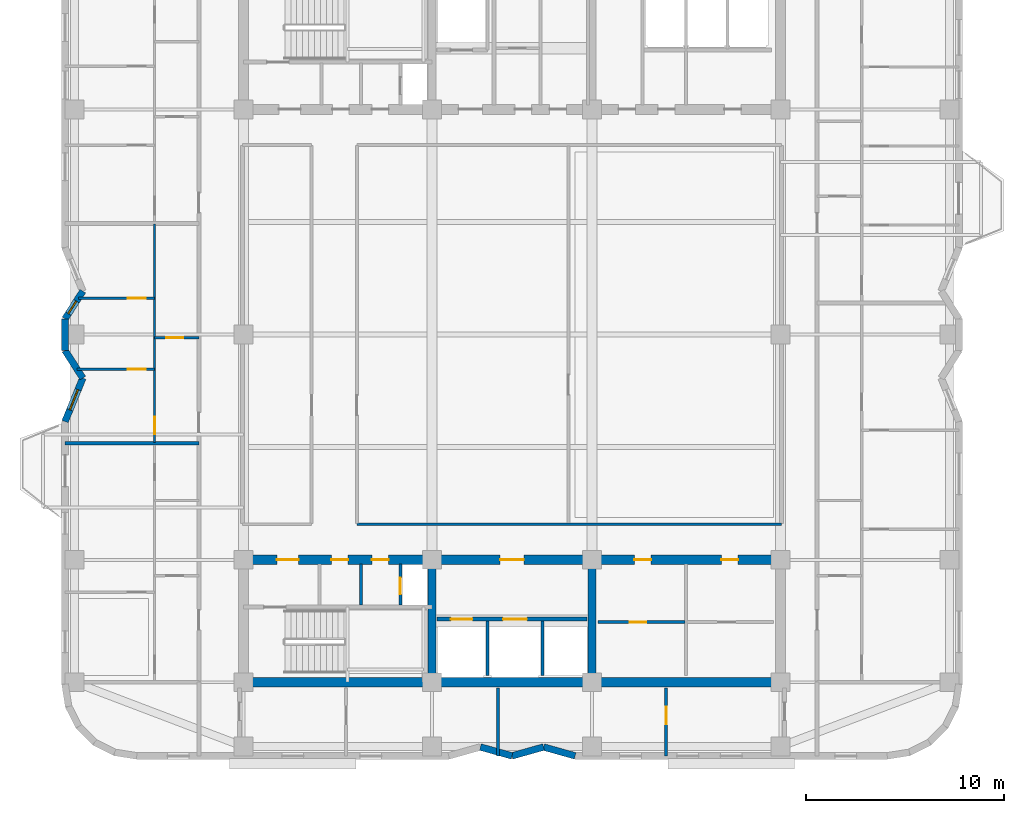
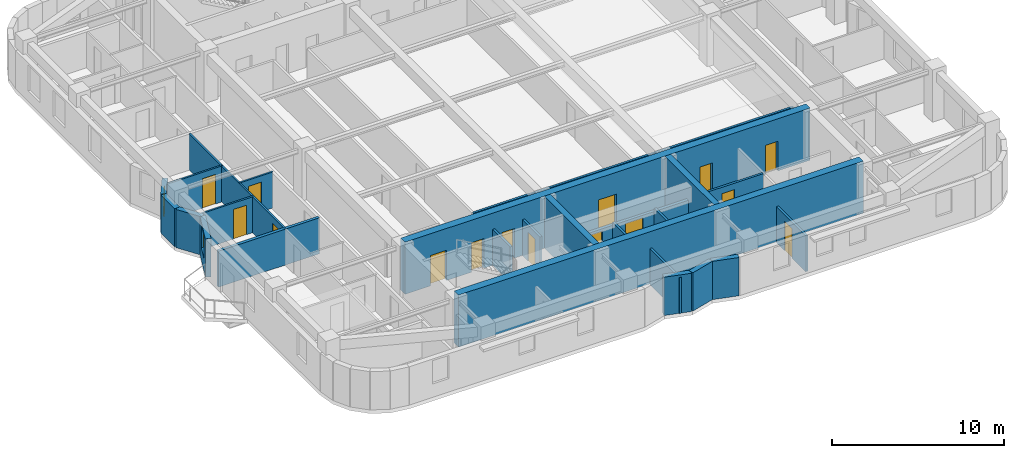
# One storey, part 3 of 9: 25 walls, 15 doors, 2 windows, 17 openings.
"""IFC4 building model written with IfcOpenShell, lengths in metres."""

from ifc_helpers import new_model, si_unit, direction, frame, frame_2d, origin, place, context, subcontext, project, spatial, rectangle, extrude, material, layer, layer_set, type_object, element, fill, save


model = new_model("IFC4")

# Units and contexts
model_context = context("Model", 3, precision=1e-05, world=origin(), true_north=direction((0.0, 1.0)))
body_context = subcontext(model_context, "Body", "Model", "MODEL_VIEW")
ifc_project = project(units=[si_unit("LENGTHUNIT", "METRE"), si_unit("AREAUNIT", "SQUARE_METRE"), si_unit("VOLUMEUNIT", "CUBIC_METRE"), si_unit("PLANEANGLEUNIT", "RADIAN"), si_unit("MASSUNIT", "GRAM", prefix="KILO")], contexts=[model_context])

# Site, building, storey
site_placement = place(None, origin())
site = spatial("IfcSite", under=ifc_project, at=site_placement, CompositionType="ELEMENT")
building_placement = place(site_placement, origin())
building = spatial("IfcBuilding", under=site, at=building_placement, Name="Svetorya Sky Lyceum", CompositionType="ELEMENT")
storey_placement = place(building_placement, frame((0.0, 0.0, 155.199951171875)))
storey = spatial("IfcBuildingStorey", under=building, at=storey_placement, Name="L38", CompositionType="ELEMENT", Elevation=155.199951171875)

# Walls
ifc_material_1 = material(Name="Concrete C40/50", Category="concrete")
ifc_layer_1 = layer(ifc_material_1, 0.39990234375)
ifc_layer_set_1 = layer_set([ifc_layer_1], Name="Concrete C40/50")
wall_type_1 = type_object("IfcWallType", Name="WL-CORE-400", PredefinedType="SHEAR", material=ifc_layer_set_1)
for number, where, z_axis, x_axis, name in (
    (1, (35.14990234375, 10.85009765625, 0.0), (0.0, 0.0, 1.0), (0.0, 1.0, 0.0), "L38 SC Internal Shear Web WEB1"),
    (2, (43.25, 10.85009765625, 0.0), (0.0, 0.0, 1.0), (0.0, 1.0, 0.0), "L38 SC Internal Shear Web WEB2"),
):
    element("IfcWall", number, at=place(storey_placement, frame(where, z_axis=z_axis, x_axis=x_axis)), inside=storey, type_object=wall_type_1, Name=name, PredefinedType="SHEAR", context=body_context, shape_type="SweptSolid", body=[
        extrude(rectangle(XDim=5.699951171875, YDim=0.39990234375, at=frame_2d((2.85009765625, 0.0))), origin(), (0.0, 0.0, 1.0), 3.699951171875),
    ])
ifc_material_2 = material(Name="Concrete C50/60", Category="concrete")
ifc_layer_2 = layer(ifc_material_2, 0.5)
ifc_layer_set_2 = layer_set([ifc_layer_2], Name="Concrete C50/60")
wall_type_2 = type_object("IfcWallType", Name="WL-CORE-500", PredefinedType="SHEAR", material=ifc_layer_set_2)
wall_1_placement = place(storey_placement, frame((52.800048828125, 10.60009765625, 0.0), z_axis=(0.0, 0.0, 1.0), x_axis=(-1.0, 0.0, 0.0)))
element("IfcWall", 3, at=wall_1_placement, inside=storey, type_object=wall_type_2, Name="L38 SC Outer Core Shear Wall", PredefinedType="SHEAR", context=body_context, shape_type="SweptSolid", body=[
    extrude(rectangle(XDim=27.199951171875, YDim=0.5, at=frame_2d((13.60009765625, 0.0))), origin(), (0.0, 0.0, 1.0), 3.699951171875),
])

# Wall, openings, doors
wall_2_placement = place(storey_placement, frame((25.60009765625, 16.800048828125, 0.0), z_axis=(0.0, 0.0, 1.0), x_axis=(1.0, 0.0, 0.0)))
wall_2 = element("IfcWall", 4, at=wall_2_placement, inside=storey, type_object=wall_type_2, Name="L38 SC Inner Core Shear Wall", PredefinedType="SHEAR", context=body_context, shape_type="SweptSolid", body=[
    extrude(rectangle(XDim=27.199951171875, YDim=0.5, at=frame_2d((13.60009765625, 0.0))), origin(), (0.0, 0.0, 1.0), 3.699951171875),
])
opening_1_placement = place(wall_2_placement, frame((1.699951171875, 0.0, 0.0)))
opening_1 = element("IfcOpeningElement", 5, at=opening_1_placement, cuts=wall_2, Name="Opening D-ST1", PredefinedType="OPENING", context=body_context, shape_type="SweptSolid", body=[
    extrude(rectangle(XDim=1.10009765625, YDim=2.14990234375, at=frame_2d((0.550048828125, 1.074951171875))), frame((0.0, 0.260009765625, 0.0), z_axis=(0.0, -1.0, 0.0), x_axis=(1.0, 0.0, 0.0)), (0.0, 0.0, 1.0), 0.52001953125),
])
opening_2_placement = place(wall_2_placement, frame((4.449951171875, 0.0, 0.0)))
opening_2 = element("IfcOpeningElement", 6, at=opening_2_placement, cuts=wall_2, Name="Opening D-CWC1", PredefinedType="OPENING", context=body_context, shape_type="SweptSolid", body=[
    extrude(rectangle(XDim=0.85009765625, YDim=2.10009765625, at=frame_2d((0.425048828125, 1.050048828125))), frame((0.0, 0.260009765625, 0.0), z_axis=(0.0, -1.0, 0.0), x_axis=(1.0, 0.0, 0.0)), (0.0, 0.0, 1.0), 0.52001953125),
])
opening_3_placement = place(wall_2_placement, frame((6.5, 0.0, 0.0)))
opening_3 = element("IfcOpeningElement", 7, at=opening_3_placement, cuts=wall_2, Name="Opening D-CWC1", PredefinedType="OPENING", context=body_context, shape_type="SweptSolid", body=[
    extrude(rectangle(XDim=0.85009765625, YDim=2.10009765625, at=frame_2d((0.425048828125, 1.050048828125))), frame((0.0, 0.260009765625, 0.0), z_axis=(0.0, -1.0, 0.0), x_axis=(1.0, 0.0, 0.0)), (0.0, 0.0, 1.0), 0.52001953125),
])
opening_4_placement = place(wall_2_placement, frame((13.0, 0.0, 0.0)))
opening_4 = element("IfcOpeningElement", 8, at=opening_4_placement, cuts=wall_2, Name="Opening D-FL1", PredefinedType="OPENING", context=body_context, shape_type="SweptSolid", body=[
    extrude(rectangle(XDim=1.199951171875, YDim=2.14990234375, at=frame_2d((0.60009765625, 1.074951171875))), frame((0.0, 0.260009765625, 0.0), z_axis=(0.0, -1.0, 0.0), x_axis=(1.0, 0.0, 0.0)), (0.0, 0.0, 1.0), 0.52001953125),
])
opening_5_placement = place(wall_2_placement, frame((19.800048828125, 0.0, 0.0)))
opening_5 = element("IfcOpeningElement", 9, at=opening_5_placement, cuts=wall_2, Name="Opening D-CWC1", PredefinedType="OPENING", context=body_context, shape_type="SweptSolid", body=[
    extrude(rectangle(XDim=0.85009765625, YDim=2.10009765625, at=frame_2d((0.425048828125, 1.050048828125))), frame((0.0, 0.260009765625, 0.0), z_axis=(0.0, -1.0, 0.0), x_axis=(1.0, 0.0, 0.0)), (0.0, 0.0, 1.0), 0.52001953125),
])
opening_6_placement = place(wall_2_placement, frame((24.199951171875, 0.0, 0.0)))
opening_6 = element("IfcOpeningElement", 10, at=opening_6_placement, cuts=wall_2, Name="Opening D-CWC1", PredefinedType="OPENING", context=body_context, shape_type="SweptSolid", body=[
    extrude(rectangle(XDim=0.85009765625, YDim=2.10009765625, at=frame_2d((0.425048828125, 1.050048828125))), frame((0.0, 0.260009765625, 0.0), z_axis=(0.0, -1.0, 0.0), x_axis=(1.0, 0.0, 0.0)), (0.0, 0.0, 1.0), 0.52001953125),
])
ifc_material_3 = material(Name="Fire-rated galvanized steel core service closet door", Category="steel")
door_type_1 = type_object("IfcDoorType", Name="DR-CWET-850", OperationType="SINGLE_SWING_LEFT", PredefinedType="DOOR", material=ifc_material_3)
door_1_placement = place(opening_2_placement, origin())
door_1 = element("IfcDoor", 11, at=door_1_placement, inside=storey, type_object=door_type_1, Name="L38 South Mop Closet Door", OperationType="SINGLE_SWING_LEFT", OverallHeight=2.10009765625, OverallWidth=0.85009765625, PredefinedType="DOOR", context=body_context, shape_type="SweptSolid", body=[
    extrude(rectangle(XDim=0.85009765625, YDim=2.10009765625, at=frame_2d((0.425048828125, 1.050048828125))), frame((0.0, 0.02490234375, 0.0), z_axis=(0.0, -1.0, 0.0), x_axis=(1.0, 0.0, 0.0)), (0.0, 0.0, 1.0), 0.050048828125),
])
fill(opening_2, door_1)
door_2_placement = place(opening_3_placement, origin())
door_2 = element("IfcDoor", 12, at=door_2_placement, inside=storey, type_object=door_type_1, Name="L38 South West WC Door", OperationType="SINGLE_SWING_RIGHT", OverallHeight=2.10009765625, OverallWidth=0.85009765625, PredefinedType="DOOR", context=body_context, shape_type="SweptSolid", body=[
    extrude(rectangle(XDim=0.85009765625, YDim=2.10009765625, at=frame_2d((0.425048828125, 1.050048828125))), frame((0.0, 0.02490234375, 0.0), z_axis=(0.0, -1.0, 0.0), x_axis=(1.0, 0.0, 0.0)), (0.0, 0.0, 1.0), 0.050048828125),
])
fill(opening_3, door_2)
door_3_placement = place(opening_5_placement, origin())
door_3 = element("IfcDoor", 13, at=door_3_placement, inside=storey, type_object=door_type_1, Name="L38 Housekeeping Door", OperationType="SINGLE_SWING_LEFT", OverallHeight=2.10009765625, OverallWidth=0.85009765625, PredefinedType="DOOR", context=body_context, shape_type="SweptSolid", body=[
    extrude(rectangle(XDim=0.85009765625, YDim=2.10009765625, at=frame_2d((0.425048828125, 1.050048828125))), frame((0.0, 0.02490234375, 0.0), z_axis=(0.0, -1.0, 0.0), x_axis=(1.0, 0.0, 0.0)), (0.0, 0.0, 1.0), 0.050048828125),
])
fill(opening_5, door_3)
door_4_placement = place(opening_6_placement, origin())
door_4 = element("IfcDoor", 14, at=door_4_placement, inside=storey, type_object=door_type_1, Name="L38 South WC Door", OperationType="SINGLE_SWING_RIGHT", OverallHeight=2.10009765625, OverallWidth=0.85009765625, PredefinedType="DOOR", context=body_context, shape_type="SweptSolid", body=[
    extrude(rectangle(XDim=0.85009765625, YDim=2.10009765625, at=frame_2d((0.425048828125, 1.050048828125))), frame((0.0, 0.02490234375, 0.0), z_axis=(0.0, -1.0, 0.0), x_axis=(1.0, 0.0, 0.0)), (0.0, 0.0, 1.0), 0.050048828125),
])
fill(opening_6, door_4)
ifc_material_4 = material(Name="Powder-coated insulated galvanized stair fire door")
door_type_2 = type_object("IfcDoorType", Name="DR-FIRE-1100", OperationType="SINGLE_SWING_LEFT", PredefinedType="DOOR", material=ifc_material_4)
door_5_placement = place(opening_1_placement, origin())
door_5 = element("IfcDoor", 15, at=door_5_placement, inside=storey, type_object=door_type_2, Name="L38 South Stair Airlock Door", OperationType="SINGLE_SWING_RIGHT", OverallHeight=2.14990234375, OverallWidth=1.10009765625, PredefinedType="DOOR", context=body_context, shape_type="SweptSolid", body=[
    extrude(rectangle(XDim=1.10009765625, YDim=2.14990234375, at=frame_2d((0.550048828125, 1.074951171875))), frame((0.0, 0.02490234375, 0.0), z_axis=(0.0, -1.0, 0.0), x_axis=(1.0, 0.0, 0.0)), (0.0, 0.0, 1.0), 0.050048828125),
])
fill(opening_1, door_5)
ifc_material_5 = material(Name="Powder-coated insulated galvanized fire door")
door_type_3 = type_object("IfcDoorType", Name="DR-FIRE-1200", OperationType="SINGLE_SWING_LEFT", PredefinedType="DOOR", material=ifc_material_5)
door_6_placement = place(opening_4_placement, origin())
door_6 = element("IfcDoor", 16, at=door_6_placement, inside=storey, type_object=door_type_3, Name="L38 South Firefighting Lift Lobby Door", OperationType="SINGLE_SWING_LEFT", OverallHeight=2.14990234375, OverallWidth=1.199951171875, PredefinedType="DOOR", context=body_context, shape_type="SweptSolid", body=[
    extrude(rectangle(XDim=1.199951171875, YDim=2.14990234375, at=frame_2d((0.60009765625, 1.074951171875))), frame((0.0, 0.02490234375, 0.0), z_axis=(0.0, -1.0, 0.0), x_axis=(1.0, 0.0, 0.0)), (0.0, 0.0, 1.0), 0.050048828125),
])
fill(opening_4, door_6)

# Walls
ifc_material_6 = material(Name="Putilovo limestone rainscreen on autoclaved cellular masonry", Category="masonry")
ifc_layer_3 = layer(ifc_material_6, 0.340087890625)
ifc_layer_set_3 = layer_set([ifc_layer_3], Name="Putilovo limestone rainscreen on autoclaved cellular masonry")
wall_type_3 = type_object("IfcWallType", Name="WL-EXT-340", PredefinedType="SOLIDWALL", material=ifc_layer_set_3)
wall_3_placement = place(storey_placement, frame((37.60009765625, 7.320068359375, 0.0), z_axis=(0.0, 0.0, 1.0), x_axis=(0.962652136636, -0.270741322725, 0.0)))
element("IfcWall", 17, at=wall_3_placement, inside=storey, type_object=wall_type_3, Name="L38 Limestone Exterior Wall 8M", PredefinedType="SOLIDWALL", context=body_context, shape_type="SweptSolid", body=[
    extrude(rectangle(XDim=1.661865234375, YDim=0.340087890625, at=frame_2d((0.8310546875, 0.0))), origin(), (0.0, 0.0, 1.0), 2.719970703125),
])
wall_4_placement = place(storey_placement, frame((39.199951171875, 6.8701171875, 0.0), z_axis=(0.0, 0.0, 1.0), x_axis=(0.962662902433, 0.270703040766, 0.0)))
element("IfcWall", 18, at=wall_4_placement, inside=storey, type_object=wall_type_3, Name="L38 Limestone Exterior Wall 9M", PredefinedType="SOLIDWALL", context=body_context, shape_type="SweptSolid", body=[
    extrude(rectangle(XDim=1.662109375, YDim=0.340087890625, at=frame_2d((0.8310546875, 0.0))), origin(), (0.0, 0.0, 1.0), 2.719970703125),
])
wall_5_placement = place(storey_placement, frame((40.800048828125, 7.320068359375, 0.0), z_axis=(0.0, 0.0, 1.0), x_axis=(0.962652136636, -0.270741322725, 0.0)))
element("IfcWall", 19, at=wall_5_placement, inside=storey, type_object=wall_type_3, Name="L38 Limestone Exterior Wall 10M", PredefinedType="SOLIDWALL", context=body_context, shape_type="SweptSolid", body=[
    extrude(rectangle(XDim=1.661865234375, YDim=0.340087890625, at=frame_2d((0.8310546875, 0.0))), origin(), (0.0, 0.0, 1.0), 2.719970703125),
])

# Wall, opening, window
wall_6_placement = place(storey_placement, frame((17.469970703125, 30.39990234375, 0.0), z_axis=(0.0, 0.0, 1.0), x_axis=(-0.540742762169, -0.841188008214, 0.0)))
wall_6 = element("IfcWall", 20, at=wall_6_placement, inside=storey, type_object=wall_type_3, Name="L38 Limestone Exterior Wall 42M", PredefinedType="SOLIDWALL", context=body_context, shape_type="SweptSolid", body=[
    extrude(rectangle(XDim=1.664306640625, YDim=0.340087890625, at=frame_2d((0.83203125, 0.0))), origin(), (0.0, 0.0, 1.0), 2.719970703125),
])
opening_7_placement = place(wall_6_placement, frame((0.60009765625, 0.0, 0.909912109375)))
opening_7 = element("IfcOpeningElement", 21, at=opening_7_placement, cuts=wall_6, Name="Opening W-R5", PredefinedType="OPENING", context=body_context, shape_type="SweptSolid", body=[
    extrude(rectangle(XDim=0.75, YDim=1.64990234375, at=frame_2d((0.375, 0.824951171875))), frame((0.0, 0.179931640625, 0.0), z_axis=(0.0, -1.0, 0.0), x_axis=(1.0, 0.0, 0.0)), (0.0, 0.0, 1.0), 0.360107421875),
])
ifc_material_7 = material(Name="Thermally broken aluminium frame with triple low-E glazing", Category="aluminium")
window_type_1 = type_object("IfcWindowType", Name="WN-RES-075", PartitioningType="SINGLE_PANEL", PredefinedType="WINDOW", material=ifc_material_7)
window_1_placement = place(opening_7_placement, origin())
window_1 = element("IfcWindow", 22, at=window_1_placement, inside=storey, type_object=window_type_1, Name="L38 Facade Window W-R5.42M.1", OverallHeight=1.64990234375, OverallWidth=0.75, PartitioningType="SINGLE_PANEL", PredefinedType="WINDOW", context=body_context, shape_type="SweptSolid", body=[
    extrude(rectangle(XDim=0.75, YDim=1.64990234375, at=frame_2d((0.375, 0.824951171875))), frame((0.0, 0.030029296875, 0.0), z_axis=(0.0, -1.0, 0.0), x_axis=(1.0, 0.0, 0.0)), (0.0, 0.0, 1.0), 0.06005859375),
])
fill(opening_7, window_1)

# Walls
wall_7_placement = place(storey_placement, frame((16.570068359375, 29.0, 0.0), z_axis=(0.0, 0.0, 1.0), x_axis=(0.0, -1.0, 0.0)))
element("IfcWall", 23, at=wall_7_placement, inside=storey, type_object=wall_type_3, Name="L38 Limestone Exterior Wall 43M", PredefinedType="SOLIDWALL", context=body_context, shape_type="SweptSolid", body=[
    extrude(rectangle(XDim=1.60009765625, YDim=0.340087890625, at=frame_2d((0.800048828125, 0.0))), origin(), (0.0, 0.0, 1.0), 2.719970703125),
])
wall_8_placement = place(storey_placement, frame((16.570068359375, 27.39990234375, 0.0), z_axis=(0.0, 0.0, 1.0), x_axis=(0.540742762169, -0.841188008214, 0.0)))
element("IfcWall", 24, at=wall_8_placement, inside=storey, type_object=wall_type_3, Name="L38 Limestone Exterior Wall 44M", PredefinedType="SOLIDWALL", context=body_context, shape_type="SweptSolid", body=[
    extrude(rectangle(XDim=1.664306640625, YDim=0.340087890625, at=frame_2d((0.83203125, 0.0))), origin(), (0.0, 0.0, 1.0), 2.719970703125),
])

# Wall, opening, window
wall_9_placement = place(storey_placement, frame((17.469970703125, 26.0, 0.0), z_axis=(0.0, 0.0, 1.0), x_axis=(-0.378604849088, -0.925558408879, 0.0)))
wall_9 = element("IfcWall", 25, at=wall_9_placement, inside=storey, type_object=wall_type_3, Name="L38 Limestone Exterior Wall 45M", PredefinedType="SOLIDWALL", context=body_context, shape_type="SweptSolid", body=[
    extrude(rectangle(XDim=2.376953125, YDim=0.340087890625, at=frame_2d((1.1884765625, 0.0))), origin(), (0.0, 0.0, 1.0), 2.719970703125),
])
opening_8_placement = place(wall_9_placement, frame((0.638427734375, 0.0, 0.909912109375)))
opening_8 = element("IfcOpeningElement", 26, at=opening_8_placement, cuts=wall_9, Name="Opening W-R3", PredefinedType="OPENING", context=body_context, shape_type="SweptSolid", body=[
    extrude(rectangle(XDim=1.10009765625, YDim=1.64990234375, at=frame_2d((0.550048828125, 0.824951171875))), frame((0.0, 0.179931640625, 0.0), z_axis=(0.0, -1.0, 0.0), x_axis=(1.0, 0.0, 0.0)), (0.0, 0.0, 1.0), 0.360107421875),
])
window_type_2 = type_object("IfcWindowType", Name="WN-RES-110", PartitioningType="SINGLE_PANEL", PredefinedType="WINDOW", material=ifc_material_7)
window_2_placement = place(opening_8_placement, origin())
window_2 = element("IfcWindow", 27, at=window_2_placement, inside=storey, type_object=window_type_2, Name="L38 Facade Window W-R3.45M.1", OverallHeight=1.64990234375, OverallWidth=1.10009765625, PartitioningType="SINGLE_PANEL", PredefinedType="WINDOW", context=body_context, shape_type="SweptSolid", body=[
    extrude(rectangle(XDim=1.10009765625, YDim=1.64990234375, at=frame_2d((0.550048828125, 0.824951171875))), frame((0.0, 0.030029296875, 0.0), z_axis=(0.0, -1.0, 0.0), x_axis=(1.0, 0.0, 0.0)), (0.0, 0.0, 1.0), 0.06005859375),
])
fill(opening_8, window_2)

# Wall, opening, door
ifc_material_8 = material(Name="Twin-stud galvanized framing with double fireboard", Category="gypsum")
ifc_layer_4 = layer(ifc_material_8, 0.1201171875)
ifc_layer_set_4 = layer_set([ifc_layer_4], Name="Twin-stud galvanized framing with double fireboard")
wall_type_4 = type_object("IfcWallType", Name="WL-PART-120", PredefinedType="PARTITIONING", material=ifc_layer_set_4)
wall_10_placement = place(storey_placement, frame((21.10009765625, 28.0400390625, 0.0), z_axis=(0.0, 0.0, 1.0), x_axis=(1.0, 0.0, 0.0)))
wall_10 = element("IfcWall", 28, at=wall_10_placement, inside=storey, type_object=wall_type_4, Name="L38 Interior Partition W2-WH1", PredefinedType="PARTITIONING", context=body_context, shape_type="SweptSolid", body=[
    extrude(rectangle(XDim=2.25, YDim=0.1201171875, at=frame_2d((1.125, 0.0))), origin(), (0.0, 0.0, 1.0), 2.550048828125),
])
opening_9_placement = place(wall_10_placement, frame((0.60009765625, 0.0, 0.0)))
opening_9 = element("IfcOpeningElement", 29, at=opening_9_placement, cuts=wall_10, Name="Opening D-BT1", PredefinedType="OPENING", context=body_context, shape_type="SweptSolid", body=[
    extrude(rectangle(XDim=0.85009765625, YDim=2.10009765625, at=frame_2d((0.425048828125, 1.050048828125))), frame((0.0, 0.070068359375, 0.0), z_axis=(0.0, -1.0, 0.0), x_axis=(1.0, 0.0, 0.0)), (0.0, 0.0, 1.0), 0.14013671875),
])
ifc_material_9 = material(Name="Moisture-resistant laminate bathroom door")
door_type_4 = type_object("IfcDoorType", Name="DR-WET-850", OperationType="SINGLE_SWING_LEFT", PredefinedType="DOOR", material=ifc_material_9)
door_7_placement = place(opening_9_placement, origin())
door_7 = element("IfcDoor", 30, at=door_7_placement, inside=storey, type_object=door_type_4, Name="Apartment W2 Bathroom Door", OperationType="SINGLE_SWING_RIGHT", OverallHeight=2.10009765625, OverallWidth=0.85009765625, PredefinedType="DOOR", context=body_context, shape_type="SweptSolid", body=[
    extrude(rectangle(XDim=0.85009765625, YDim=2.10009765625, at=frame_2d((0.425048828125, 1.050048828125))), frame((0.0, 0.02490234375, 0.0), z_axis=(0.0, -1.0, 0.0), x_axis=(1.0, 0.0, 0.0)), (0.0, 0.0, 1.0), 0.050048828125),
])
fill(opening_9, door_7)

wall_11_placement = place(storey_placement, frame((17.1806640625, 26.449951171875, 0.0), z_axis=(0.0, 0.0, 1.0), x_axis=(1.0, 0.0, 0.0)))
wall_11 = element("IfcWall", 31, at=wall_11_placement, inside=storey, type_object=wall_type_4, Name="L38 Interior Partition W2-WL1", PredefinedType="PARTITIONING", context=body_context, shape_type="SweptSolid", body=[
    extrude(rectangle(XDim=3.91943359375, YDim=0.1201171875, at=frame_2d((1.959716796875, 0.0))), origin(), (0.0, 0.0, 1.0), 2.550048828125),
])
opening_10_placement = place(wall_11_placement, frame((2.5693359375, 0.0, 0.0)))
opening_10 = element("IfcOpeningElement", 32, at=opening_10_placement, cuts=wall_11, Name="Opening D-RM1", PredefinedType="OPENING", context=body_context, shape_type="SweptSolid", body=[
    extrude(rectangle(XDim=0.89990234375, YDim=2.10009765625, at=frame_2d((0.449951171875, 1.050048828125))), frame((0.0, 0.070068359375, 0.0), z_axis=(0.0, -1.0, 0.0), x_axis=(1.0, 0.0, 0.0)), (0.0, 0.0, 1.0), 0.14013671875),
])
ifc_material_10 = material(Name="Lacquered birch veneer internal door")
door_type_5 = type_object("IfcDoorType", Name="DR-INT-900", OperationType="SINGLE_SWING_LEFT", PredefinedType="DOOR", material=ifc_material_10)
door_8_placement = place(opening_10_placement, origin())
door_8 = element("IfcDoor", 33, at=door_8_placement, inside=storey, type_object=door_type_5, Name="Apartment W2 Master Bedroom Door", OperationType="SINGLE_SWING_RIGHT", OverallHeight=2.10009765625, OverallWidth=0.89990234375, PredefinedType="DOOR", context=body_context, shape_type="SweptSolid", body=[
    extrude(rectangle(XDim=0.89990234375, YDim=2.10009765625, at=frame_2d((0.449951171875, 1.050048828125))), frame((0.0, 0.02490234375, 0.0), z_axis=(0.0, -1.0, 0.0), x_axis=(1.0, 0.0, 0.0)), (0.0, 0.0, 1.0), 0.050048828125),
])
fill(opening_10, door_8)

wall_12_placement = place(storey_placement, frame((17.2451171875, 30.050048828125, 0.0), z_axis=(0.0, 0.0, 1.0), x_axis=(1.0, 0.0, 0.0)))
wall_12 = element("IfcWall", 34, at=wall_12_placement, inside=storey, type_object=wall_type_4, Name="L38 Interior Partition W2-WL2", PredefinedType="PARTITIONING", context=body_context, shape_type="SweptSolid", body=[
    extrude(rectangle(XDim=3.85498046875, YDim=0.1201171875, at=frame_2d((1.927490234375, 0.0))), origin(), (0.0, 0.0, 1.0), 2.550048828125),
])
opening_11_placement = place(wall_12_placement, frame((2.5048828125, 0.0, 0.0)))
opening_11 = element("IfcOpeningElement", 35, at=opening_11_placement, cuts=wall_12, Name="Opening D-RM1", PredefinedType="OPENING", context=body_context, shape_type="SweptSolid", body=[
    extrude(rectangle(XDim=0.89990234375, YDim=2.10009765625, at=frame_2d((0.449951171875, 1.050048828125))), frame((0.0, 0.070068359375, 0.0), z_axis=(0.0, -1.0, 0.0), x_axis=(1.0, 0.0, 0.0)), (0.0, 0.0, 1.0), 0.14013671875),
])
door_9_placement = place(opening_11_placement, origin())
door_9 = element("IfcDoor", 36, at=door_9_placement, inside=storey, type_object=door_type_5, Name="Apartment W2 Bedroom 2 Door", OperationType="SINGLE_SWING_LEFT", OverallHeight=2.10009765625, OverallWidth=0.89990234375, PredefinedType="DOOR", context=body_context, shape_type="SweptSolid", body=[
    extrude(rectangle(XDim=0.89990234375, YDim=2.10009765625, at=frame_2d((0.449951171875, 1.050048828125))), frame((0.0, 0.02490234375, 0.0), z_axis=(0.0, -1.0, 0.0), x_axis=(1.0, 0.0, 0.0)), (0.0, 0.0, 1.0), 0.050048828125),
])
fill(opening_11, door_9)

wall_13_placement = place(storey_placement, frame((21.10009765625, 22.739990234375, 0.0), z_axis=(0.0, 0.0, 1.0), x_axis=(0.0, 1.0, 0.0)))
wall_13 = element("IfcWall", 37, at=wall_13_placement, inside=storey, type_object=wall_type_4, Name="L38 Interior Partition W2-WV", PredefinedType="PARTITIONING", context=body_context, shape_type="SweptSolid", body=[
    extrude(rectangle(XDim=11.052001953125, YDim=0.1201171875, at=frame_2d((5.52587890625, 0.0))), origin(), (0.0, 0.0, 1.0), 2.550048828125),
])
opening_12_placement = place(wall_13_placement, frame((0.409912109375, 0.0, 0.0)))
opening_12 = element("IfcOpeningElement", 38, at=opening_12_placement, cuts=wall_13, Name="Opening D-RM1", PredefinedType="OPENING", context=body_context, shape_type="SweptSolid", body=[
    extrude(rectangle(XDim=0.89990234375, YDim=2.10009765625, at=frame_2d((0.449951171875, 1.050048828125))), frame((0.0, 0.070068359375, 0.0), z_axis=(0.0, -1.0, 0.0), x_axis=(1.0, 0.0, 0.0)), (0.0, 0.0, 1.0), 0.14013671875),
])
door_10_placement = place(opening_12_placement, origin())
door_10 = element("IfcDoor", 39, at=door_10_placement, inside=storey, type_object=door_type_5, Name="Apartment W2 Living Door", OperationType="SINGLE_SWING_LEFT", OverallHeight=2.10009765625, OverallWidth=0.89990234375, PredefinedType="DOOR", context=body_context, shape_type="SweptSolid", body=[
    extrude(rectangle(XDim=0.89990234375, YDim=2.10009765625, at=frame_2d((0.449951171875, 1.050048828125))), frame((0.0, 0.02490234375, 0.0), z_axis=(0.0, -1.0, 0.0), x_axis=(1.0, 0.0, 0.0)), (0.0, 0.0, 1.0), 0.050048828125),
])
fill(opening_12, door_10)

# Wall
ifc_material_11 = material(Name="Autoclaved cellular masonry blockwork with acoustic render", Category="masonry")
ifc_layer_5 = layer(ifc_material_11, 0.14990234375)
ifc_layer_set_5 = layer_set([ifc_layer_5], Name="Autoclaved cellular masonry blockwork with acoustic render")
wall_type_5 = type_object("IfcWallType", Name="WL-PART-150", PredefinedType="PARTITIONING", material=ifc_layer_set_5)
wall_14_placement = place(storey_placement, frame((31.550048828125, 14.5, 0.0), z_axis=(0.0, 0.0, 1.0), x_axis=(0.0, 1.0, 0.0)))
element("IfcWall", 40, at=wall_14_placement, inside=storey, type_object=wall_type_5, Name="L38 Interior Partition SC-SWD2", PredefinedType="PARTITIONING", context=body_context, shape_type="SweptSolid", body=[
    extrude(rectangle(XDim=2.080078125, YDim=0.14990234375, at=frame_2d((1.0400390625, 0.0))), origin(), (0.0, 0.0, 1.0), 2.550048828125),
])

# Wall, opening, door
wall_15_placement = place(storey_placement, frame((33.550048828125, 14.5, 0.0), z_axis=(0.0, 0.0, 1.0), x_axis=(0.0, 1.0, 0.0)))
wall_15 = element("IfcWall", 41, at=wall_15_placement, inside=storey, type_object=wall_type_5, Name="L38 Interior Partition SC-SWD3", PredefinedType="PARTITIONING", context=body_context, shape_type="SweptSolid", body=[
    extrude(rectangle(XDim=2.080078125, YDim=0.14990234375, at=frame_2d((1.0400390625, 0.0))), origin(), (0.0, 0.0, 1.0), 2.550048828125),
])
opening_13_placement = place(wall_15_placement, frame((0.550048828125, 0.0, 0.0)))
opening_13 = element("IfcOpeningElement", 42, at=opening_13_placement, cuts=wall_15, Name="Opening D-SH1", PredefinedType="OPENING", context=body_context, shape_type="SweptSolid", body=[
    extrude(rectangle(XDim=0.85009765625, YDim=2.050048828125, at=frame_2d((0.425048828125, 1.02490234375))), frame((0.0, 0.0849609375, 0.0), z_axis=(0.0, -1.0, 0.0), x_axis=(1.0, 0.0, 0.0)), (0.0, 0.0, 1.0), 0.169921875),
])
ifc_material_12 = material(Name="Insulated galvanized riser inspection fire door")
door_type_6 = type_object("IfcDoorType", Name="DR-SHFT-850", OperationType="SINGLE_SWING_LEFT", PredefinedType="TRAPDOOR", material=ifc_material_12)
door_11_placement = place(opening_13_placement, origin())
door_11 = element("IfcDoor", 43, at=door_11_placement, inside=storey, type_object=door_type_6, Name="L38 South Riser Access Door", OperationType="SINGLE_SWING_RIGHT", OverallHeight=2.050048828125, OverallWidth=0.85009765625, PredefinedType="TRAPDOOR", context=body_context, shape_type="SweptSolid", body=[
    extrude(rectangle(XDim=0.85009765625, YDim=2.050048828125, at=frame_2d((0.425048828125, 1.02490234375))), frame((0.0, 0.02490234375, 0.0), z_axis=(0.0, -1.0, 0.0), x_axis=(1.0, 0.0, 0.0)), (0.0, 0.0, 1.0), 0.050048828125),
])
fill(opening_13, door_11)

# Walls
for number, where, z_axis, x_axis, name in (
    (44, (37.949951171875, 10.949951171875, 0.0), (0.0, 0.0, 1.0), (0.0, 1.0, 0.0), "L38 Interior Partition SC-SHD1"),
    (45, (40.75, 10.949951171875, 0.0), (0.0, 0.0, 1.0), (0.0, 1.0, 0.0), "L38 Interior Partition SC-SHD2"),
):
    element("IfcWall", number, at=place(storey_placement, frame(where, z_axis=z_axis, x_axis=x_axis)), inside=storey, type_object=wall_type_5, Name=name, PredefinedType="PARTITIONING", context=body_context, shape_type="SweptSolid", body=[
        extrude(rectangle(XDim=2.75, YDim=0.14990234375, at=frame_2d((1.375, 0.0))), origin(), (0.0, 0.0, 1.0), 2.550048828125),
    ])

# Wall, opening, door
wall_16_placement = place(storey_placement, frame((43.550048828125, 13.64990234375, 0.0), z_axis=(0.0, 0.0, 1.0), x_axis=(1.0, 0.0, 0.0)))
wall_16 = element("IfcWall", 46, at=wall_16_placement, inside=storey, type_object=wall_type_5, Name="L38 Interior Partition SC-LV7-HW", PredefinedType="PARTITIONING", context=body_context, shape_type="SweptSolid", body=[
    extrude(rectangle(XDim=4.39990234375, YDim=0.14990234375, at=frame_2d((2.199951171875, 0.0))), origin(), (0.0, 0.0, 1.0), 2.550048828125),
])
opening_14_placement = place(wall_16_placement, frame((1.60009765625, 0.0, 0.0)))
opening_14 = element("IfcOpeningElement", 47, at=opening_14_placement, cuts=wall_16, Name="Opening D-CWC1", PredefinedType="OPENING", context=body_context, shape_type="SweptSolid", body=[
    extrude(rectangle(XDim=0.85009765625, YDim=2.10009765625, at=frame_2d((0.425048828125, 1.050048828125))), frame((0.0, 0.0849609375, 0.0), z_axis=(0.0, -1.0, 0.0), x_axis=(1.0, 0.0, 0.0)), (0.0, 0.0, 1.0), 0.169921875),
])
door_12_placement = place(opening_14_placement, origin())
door_12 = element("IfcDoor", 48, at=door_12_placement, inside=storey, type_object=door_type_1, Name="L38 South Electrical Room Door", OperationType="SINGLE_SWING_LEFT", OverallHeight=2.10009765625, OverallWidth=0.85009765625, PredefinedType="DOOR", context=body_context, shape_type="SweptSolid", body=[
    extrude(rectangle(XDim=0.85009765625, YDim=2.10009765625, at=frame_2d((0.425048828125, 1.050048828125))), frame((0.0, 0.02490234375, 0.0), z_axis=(0.0, -1.0, 0.0), x_axis=(1.0, 0.0, 0.0)), (0.0, 0.0, 1.0), 0.050048828125),
])
fill(opening_14, door_12)

# Walls
wall_17_placement = place(storey_placement, frame((31.35009765625, 18.60009765625, 0.0), z_axis=(0.0, 0.0, 1.0), x_axis=(1.0, 0.0, 0.0)))
element("IfcWall", 49, at=wall_17_placement, inside=storey, type_object=wall_type_5, Name="L38 Interior Partition OFF-CS-E", PredefinedType="PARTITIONING", context=body_context, shape_type="SweptSolid", body=[
    extrude(rectangle(XDim=21.5, YDim=0.14990234375, at=frame_2d((10.75, 0.0))), origin(), (0.0, 0.0, 1.0), 2.550048828125),
])
wall_18_placement = place(storey_placement, frame((38.5, 6.8701171875, 0.0), z_axis=(0.0, 0.0, 1.0), x_axis=(0.0, 1.0, 0.0)))
element("IfcWall", 50, at=wall_18_placement, inside=storey, type_object=wall_type_5, Name="L38 Interior Partition S4-D2", PredefinedType="PARTITIONING", context=body_context, shape_type="SweptSolid", body=[
    extrude(rectangle(XDim=3.429931640625, YDim=0.14990234375, at=frame_2d((1.71484375, 0.0))), origin(), (0.0, 0.0, 1.0), 2.550048828125),
])

# Wall, opening, door
wall_19_placement = place(storey_placement, frame((47.0, 6.8701171875, 0.0), z_axis=(0.0, 0.0, 1.0), x_axis=(0.0, 1.0, 0.0)))
wall_19 = element("IfcWall", 51, at=wall_19_placement, inside=storey, type_object=wall_type_5, Name="L38 Interior Partition S4-D3", PredefinedType="PARTITIONING", context=body_context, shape_type="SweptSolid", body=[
    extrude(rectangle(XDim=3.429931640625, YDim=0.14990234375, at=frame_2d((1.71484375, 0.0))), origin(), (0.0, 0.0, 1.0), 2.550048828125),
])
opening_15_placement = place(wall_19_placement, frame((1.60009765625, 0.0, 0.0)))
opening_15 = element("IfcOpeningElement", 52, at=opening_15_placement, cuts=wall_19, Name="Opening D-RM1", PredefinedType="OPENING", context=body_context, shape_type="SweptSolid", body=[
    extrude(rectangle(XDim=0.89990234375, YDim=2.10009765625, at=frame_2d((0.449951171875, 1.050048828125))), frame((0.0, 0.0849609375, 0.0), z_axis=(0.0, -1.0, 0.0), x_axis=(1.0, 0.0, 0.0)), (0.0, 0.0, 1.0), 0.169921875),
])
door_13_placement = place(opening_15_placement, origin())
door_13 = element("IfcDoor", 53, at=door_13_placement, inside=storey, type_object=door_type_5, Name="L38 South Suite Door 3", OperationType="SINGLE_SWING_LEFT", OverallHeight=2.10009765625, OverallWidth=0.89990234375, PredefinedType="DOOR", context=body_context, shape_type="SweptSolid", body=[
    extrude(rectangle(XDim=0.89990234375, YDim=2.10009765625, at=frame_2d((0.449951171875, 1.050048828125))), frame((0.0, 0.02490234375, 0.0), z_axis=(0.0, -1.0, 0.0), x_axis=(1.0, 0.0, 0.0)), (0.0, 0.0, 1.0), 0.050048828125),
])
fill(opening_15, door_13)

# Wall, openings, doors
ifc_material_13 = material(Name="Autoclaved cellular masonry blockwork with gypsum plaster", Category="masonry")
ifc_layer_6 = layer(ifc_material_13, 0.199951171875)
ifc_layer_set_6 = layer_set([ifc_layer_6], Name="Autoclaved cellular masonry blockwork with gypsum plaster")
wall_type_6 = type_object("IfcWallType", Name="WL-PART-200", PredefinedType="PARTITIONING", material=ifc_layer_set_6)
wall_20_placement = place(storey_placement, frame((35.39990234375, 13.800048828125, 0.0), z_axis=(0.0, 0.0, 1.0), x_axis=(1.0, 0.0, 0.0)))
wall_20 = element("IfcWall", 54, at=wall_20_placement, inside=storey, type_object=wall_type_6, Name="L38 Interior Partition SC-FLW", PredefinedType="PARTITIONING", context=body_context, shape_type="SweptSolid", body=[
    extrude(rectangle(XDim=7.60009765625, YDim=0.199951171875, at=frame_2d((3.800048828125, 0.0))), origin(), (0.0, 0.0, 1.0), 2.320068359375),
])
opening_16_placement = place(wall_20_placement, frame((0.699951171875, 0.0, 0.0)))
opening_16 = element("IfcOpeningElement", 55, at=opening_16_placement, cuts=wall_20, Name="Opening LD-FL", PredefinedType="OPENING", context=body_context, shape_type="SweptSolid", body=[
    extrude(rectangle(XDim=1.10009765625, YDim=2.14990234375, at=frame_2d((0.550048828125, 1.074951171875))), frame((0.0, 0.10986328125, 0.0), z_axis=(0.0, -1.0, 0.0), x_axis=(1.0, 0.0, 0.0)), (0.0, 0.0, 1.0), 0.219970703125),
])
opening_17_placement = place(wall_20_placement, frame((3.35009765625, 0.0, 0.0)))
opening_17 = element("IfcOpeningElement", 56, at=opening_17_placement, cuts=wall_20, Name="Opening LD-SV", PredefinedType="OPENING", context=body_context, shape_type="SweptSolid", body=[
    extrude(rectangle(XDim=1.199951171875, YDim=2.14990234375, at=frame_2d((0.60009765625, 1.074951171875))), frame((0.0, 0.10986328125, 0.0), z_axis=(0.0, -1.0, 0.0), x_axis=(1.0, 0.0, 0.0)), (0.0, 0.0, 1.0), 0.219970703125),
])
ifc_material_14 = material(Name="Fire-rated stainless AISI 304 firefighting lift landing door")
door_type_7 = type_object("IfcDoorType", Name="DR-LIFT-1100", OperationType="SLIDING_TO_LEFT", PredefinedType="DOOR", material=ifc_material_14)
door_14_placement = place(opening_16_placement, origin())
door_14 = element("IfcDoor", 57, at=door_14_placement, inside=storey, type_object=door_type_7, Name="L38 Firefighting Lift FL2 Landing Door", OperationType="SLIDING_TO_LEFT", OverallHeight=2.14990234375, OverallWidth=1.10009765625, PredefinedType="DOOR", context=body_context, shape_type="SweptSolid", body=[
    extrude(rectangle(XDim=1.10009765625, YDim=2.14990234375, at=frame_2d((0.550048828125, 1.074951171875))), frame((0.0, 0.02490234375, 0.0), z_axis=(0.0, -1.0, 0.0), x_axis=(1.0, 0.0, 0.0)), (0.0, 0.0, 1.0), 0.050048828125),
])
fill(opening_16, door_14)
ifc_material_15 = material(Name="Brushed stainless AISI 304 telescopic lift landing door")
door_type_8 = type_object("IfcDoorType", Name="DR-LIFT-1200", OperationType="SLIDING_TO_LEFT", PredefinedType="DOOR", material=ifc_material_15)
door_15_placement = place(opening_17_placement, origin())
door_15 = element("IfcDoor", 58, at=door_15_placement, inside=storey, type_object=door_type_8, Name="L38 Service Lift SVL1 Landing Door", OperationType="SLIDING_TO_LEFT", OverallHeight=2.14990234375, OverallWidth=1.199951171875, PredefinedType="DOOR", context=body_context, shape_type="SweptSolid", body=[
    extrude(rectangle(XDim=1.199951171875, YDim=2.14990234375, at=frame_2d((0.60009765625, 1.074951171875))), frame((0.0, 0.02490234375, 0.0), z_axis=(0.0, -1.0, 0.0), x_axis=(1.0, 0.0, 0.0)), (0.0, 0.0, 1.0), 0.050048828125),
])
fill(opening_17, door_15)

# Wall
wall_21_placement = place(storey_placement, frame((16.570068359375, 22.699951171875, 0.0), z_axis=(0.0, 0.0, 1.0), x_axis=(1.0, 0.0, 0.0)))
element("IfcWall", 59, at=wall_21_placement, inside=storey, type_object=wall_type_6, Name="L38 Interior Partition W-PARTY-1", PredefinedType="PARTITIONING", context=body_context, shape_type="SweptSolid", body=[
    extrude(rectangle(XDim=6.780029296875, YDim=0.199951171875, at=frame_2d((3.39013671875, 0.0))), origin(), (0.0, 0.0, 1.0), 2.550048828125),
])

save(model, "model.ifc")
